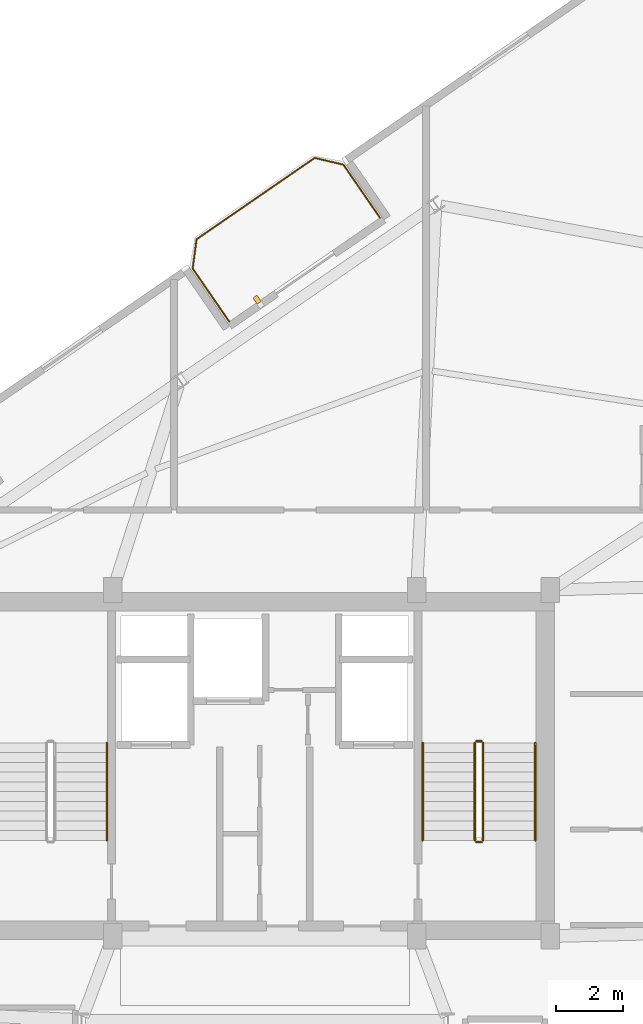
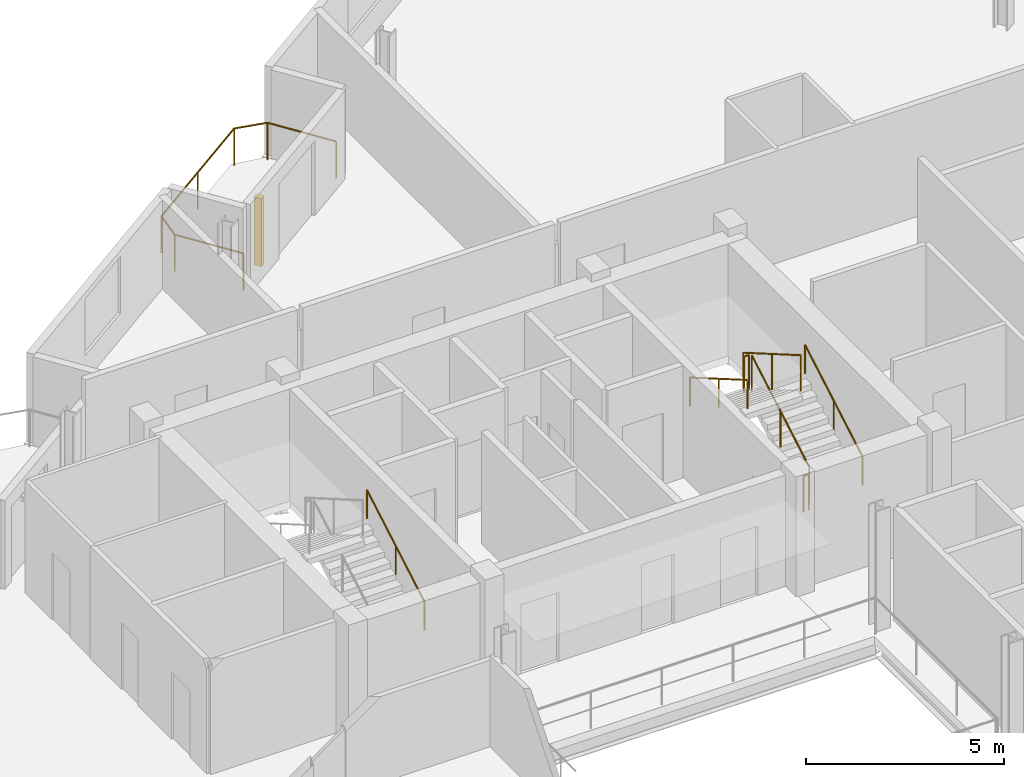
# One storey, part 23 of 23: 8 railings, 1 shading device.
"""IFC4 building model written with IfcOpenShell, lengths in metres."""

from ifc_helpers import new_model, si_unit, direction, frame, origin, origin_2d, place, context, subcontext, project, spatial, rectangle, circle, extrude, source, transform, mapped, material, type_object, element, save


model = new_model("IFC4")

# Units and contexts
model_context = context("Model", 3, precision=1e-05, world=origin(), true_north=direction((0.0, 1.0)))
body_context = subcontext(model_context, "Body", "Model", "MODEL_VIEW")
ifc_project = project(units=[si_unit("LENGTHUNIT", "METRE"), si_unit("AREAUNIT", "SQUARE_METRE"), si_unit("VOLUMEUNIT", "CUBIC_METRE"), si_unit("PLANEANGLEUNIT", "RADIAN"), si_unit("MASSUNIT", "GRAM", prefix="KILO")], contexts=[model_context])

# Site, building, storey
site_placement = place(None, origin())
site = spatial("IfcSite", under=ifc_project, at=site_placement, CompositionType="ELEMENT")
building_placement = place(site_placement, origin())
building = spatial("IfcBuilding", under=site, at=building_placement, Name="Varnelok Gate Tower", CompositionType="ELEMENT")
storey_placement = place(building_placement, frame((0.0, 0.0, 258.199951171875)))
storey = spatial("IfcBuildingStorey", under=building, at=storey_placement, Name="L66", CompositionType="ELEMENT", Elevation=258.199951171875)

# Railings
ifc_material_1 = material(Name="Low-E Laminated Double Glazing IGU", Category="glass")
railing_type_1 = type_object("IfcRailingType", Name="RL-BALC-1150", PredefinedType="BALUSTRADE", material=ifc_material_1)
railing_1_placement = place(storey_placement, frame((38.143310546875, 47.036376953125, 0.0)))
element("IfcRailing", 1, at=railing_1_placement, inside=storey, type_object=railing_type_1, Name="L66 North Terrace Balustrade 6", PredefinedType="BALUSTRADE", context=body_context, shape_type="SweptSolid", body=[
    extrude(circle(Radius=0.02392578125, at=origin_2d()), frame((0.0, 0.0, 1.1259765625), z_axis=(-0.567284155424, 0.82352212296, 0.0), x_axis=(-0.82352212296, -0.567284155424, 0.0)), (0.0, 0.0, 1.0), 1.919921875),
    extrude(circle(Radius=0.02392578125, at=origin_2d()), frame((-1.089111328125, 1.5810546875, 1.1259765625), z_axis=(0.133238627421, 0.991083986433, 0.0), x_axis=(-0.991083986433, 0.133238627421, 0.0)), (0.0, 0.0, 1.0), 0.877685546875),
    extrude(circle(Radius=0.02392578125, at=origin_2d()), frame((-0.97216796875, 2.450927734375, 1.1259765625), z_axis=(0.823530765458, 0.56727160897, 0.0), x_axis=(-0.56727160897, 0.823530765458, 0.0)), (0.0, 0.0, 1.0), 4.26708984375),
    extrude(circle(Radius=0.02392578125, at=origin_2d()), frame((2.5419921875, 4.87158203125, 1.1259765625), z_axis=(0.973573806257, -0.228372598553, 0.0), x_axis=(0.228372598553, 0.973573806257, 0.0)), (0.0, 0.0, 1.0), 0.877685546875),
    extrude(circle(Radius=0.02392578125, at=origin_2d()), frame((3.396484375, 4.671142578125, 1.1259765625), z_axis=(0.567224752248, -0.823563039747, 0.0), x_axis=(0.823563039747, 0.567224752248, 0.0)), (0.0, 0.0, 1.0), 1.920166015625),
    extrude(circle(Radius=0.02099609375, at=origin_2d()), origin(), (0.0, 0.0, 1.0), 1.101806640625),
    extrude(circle(Radius=0.02099609375, at=origin_2d()), frame((-1.089111328125, 1.5810546875, 0.0)), (0.0, 0.0, 1.0), 1.101806640625),
    extrude(circle(Radius=0.02099609375, at=origin_2d()), frame((-0.97216796875, 2.450927734375, 0.0)), (0.0, 0.0, 1.0), 1.101806640625),
    extrude(circle(Radius=0.02099609375, at=origin_2d()), frame((0.784912109375, 3.6611328125, 0.0)), (0.0, 0.0, 1.0), 1.101806640625),
    extrude(circle(Radius=0.02099609375, at=origin_2d()), frame((2.5419921875, 4.87158203125, 0.0)), (0.0, 0.0, 1.0), 1.101806640625),
    extrude(circle(Radius=0.02099609375, at=origin_2d()), frame((3.396484375, 4.671142578125, 0.0)), (0.0, 0.0, 1.0), 1.101806640625),
    extrude(circle(Radius=0.02099609375, at=origin_2d()), frame((4.485595703125, 3.08984375, 0.0)), (0.0, 0.0, 1.0), 1.101806640625),
])
ifc_material_2 = material(Name="Brushed Stainless Steel AISI 316", Category="steel")
railing_type_2 = type_object("IfcRailingType", Name="RL-HANDRAIL-900", PredefinedType="HANDRAIL", material=ifc_material_2)
for number, where, name in (
    (2, (34.5, 31.60009765625, 0.168212890625), "L66 ST-1 stair handrail 1"),
    (3, (47.25, 31.60009765625, 0.168212890625), "L66 ST-2 stair handrail 1"),
):
    element("IfcRailing", number, at=place(storey_placement, frame(where)), inside=storey, type_object=railing_type_2, Name=name, PredefinedType="HANDRAIL", context=body_context, shape_type="SweptSolid", body=[
        extrude(circle(Radius=0.02392578125, at=origin_2d()), frame((0.0, 0.0, 0.8759765625), z_axis=(0.0, 0.865038774852, 0.501705010941), x_axis=(-1.0, 0.0, 0.0)), (0.0, 0.0, 1.0), 3.352294921875),
        extrude(circle(Radius=0.02099609375, at=origin_2d()), origin(), (0.0, 0.0, 1.0), 0.851806640625),
        extrude(circle(Radius=0.02099609375, at=origin_2d()), frame((0.0, 1.449951171875, 0.8408203125)), (0.0, 0.0, 1.0), 0.851806640625),
        extrude(circle(Radius=0.02099609375, at=origin_2d()), frame((0.0, 2.89990234375, 1.681884765625)), (0.0, 0.0, 1.0), 0.851806640625),
    ])
railing_2_placement = place(storey_placement, frame((43.89990234375, 34.5, 2.018310546875)))
element("IfcRailing", 4, at=railing_2_placement, inside=storey, type_object=railing_type_2, Name="L66 ST-2 stair handrail 2", PredefinedType="HANDRAIL", context=body_context, shape_type="SweptSolid", body=[
    extrude(circle(Radius=0.02392578125, at=origin_2d()), frame((0.0, 0.0, 0.8759765625), z_axis=(0.0, -0.86507038078, 0.501650512107), x_axis=(1.0, 0.0, 0.0)), (0.0, 0.0, 1.0), 3.352294921875),
    extrude(circle(Radius=0.02099609375, at=origin_2d()), origin(), (0.0, 0.0, 1.0), 0.851806640625),
    extrude(circle(Radius=0.02099609375, at=origin_2d()), frame((0.0, -1.449951171875, 0.8408203125)), (0.0, 0.0, 1.0), 0.851806640625),
    extrude(circle(Radius=0.02099609375, at=origin_2d()), frame((0.0, -2.89990234375, 1.681640625)), (0.0, 0.0, 1.0), 0.851806640625),
])
ifc_material_3 = material(Name="Galvanized Steel Grade S350GD", Category="steel")
railing_type_3 = type_object("IfcRailingType", Name="RL-STAIR-GUARD1120", PredefinedType="GUARDRAIL", material=ifc_material_3)
railing_3_placement = place(storey_placement, frame((45.699951171875, 31.60009765625, 0.168212890625)))
element("IfcRailing", 5, at=railing_3_placement, inside=storey, type_object=railing_type_3, Name="L66 ST-2 stair guard 1", PredefinedType="GUARDRAIL", context=body_context, shape_type="SweptSolid", body=[
    extrude(circle(Radius=0.02392578125, at=origin_2d()), frame((0.0, 0.0, 1.09619140625), z_axis=(0.0, 0.865038774852, 0.501705010941), x_axis=(-1.0, 0.0, 0.0)), (0.0, 0.0, 1.0), 3.352294921875),
    extrude(circle(Radius=0.02099609375, at=origin_2d()), origin(), (0.0, 0.0, 1.0), 1.072021484375),
    extrude(circle(Radius=0.02099609375, at=origin_2d()), frame((0.0, 1.449951171875, 0.8408203125)), (0.0, 0.0, 1.0), 1.072021484375),
    extrude(circle(Radius=0.02099609375, at=origin_2d()), frame((0.0, 2.89990234375, 1.681884765625)), (0.0, 0.0, 1.0), 1.072021484375),
])
railing_4_placement = place(storey_placement, frame((45.64990234375, 34.550048828125, 1.85009765625)))
element("IfcRailing", 6, at=railing_4_placement, inside=storey, type_object=railing_type_3, Name="L66 ST-2 stair guard 2", PredefinedType="GUARDRAIL", context=body_context, shape_type="SweptSolid", body=[
    extrude(circle(Radius=0.02392578125, at=origin_2d()), frame((0.0, 0.0, 1.09619140625), z_axis=(-1.0, 0.0, 0.0), x_axis=(0.0, -1.0, 0.0)), (0.0, 0.0, 1.0), 0.14990234375),
    extrude(circle(Radius=0.02099609375, at=origin_2d()), origin(), (0.0, 0.0, 1.0), 1.072021484375),
    extrude(circle(Radius=0.02099609375, at=origin_2d()), frame((-0.14990234375, 0.0, 0.0)), (0.0, 0.0, 1.0), 1.072021484375),
])
railing_5_placement = place(storey_placement, frame((45.449951171875, 34.5, 2.018310546875)))
element("IfcRailing", 7, at=railing_5_placement, inside=storey, type_object=railing_type_3, Name="L66 ST-2 stair guard 3", PredefinedType="GUARDRAIL", context=body_context, shape_type="SweptSolid", body=[
    extrude(circle(Radius=0.02392578125, at=origin_2d()), frame((0.0, 0.0, 1.09619140625), z_axis=(0.0, -0.86507038078, 0.501650512107), x_axis=(1.0, 0.0, 0.0)), (0.0, 0.0, 1.0), 3.352294921875),
    extrude(circle(Radius=0.02099609375, at=origin_2d()), origin(), (0.0, 0.0, 1.0), 1.072021484375),
    extrude(circle(Radius=0.02099609375, at=origin_2d()), frame((0.0, -1.449951171875, 0.8408203125)), (0.0, 0.0, 1.0), 1.072021484375),
    extrude(circle(Radius=0.02099609375, at=origin_2d()), frame((0.0, -2.89990234375, 1.681640625)), (0.0, 0.0, 1.0), 1.072021484375),
])
railing_6_placement = place(storey_placement, frame((45.64990234375, 31.550048828125, 0.0)))
element("IfcRailing", 8, at=railing_6_placement, inside=storey, type_object=railing_type_3, Name="L66 ST-2 stair guard 4", PredefinedType="GUARDRAIL", context=body_context, shape_type="SweptSolid", body=[
    extrude(circle(Radius=0.02392578125, at=origin_2d()), frame((0.0, 0.0, 1.09619140625), z_axis=(-1.0, 0.0, 0.0), x_axis=(0.0, -1.0, 0.0)), (0.0, 0.0, 1.0), 0.14990234375),
    extrude(circle(Radius=0.02099609375, at=origin_2d()), origin(), (0.0, 0.0, 1.0), 1.072021484375),
    extrude(circle(Radius=0.02099609375, at=origin_2d()), frame((-0.14990234375, 0.0, 0.0)), (0.0, 0.0, 1.0), 1.072021484375),
])

# Shading device
ifc_material_4 = material(Name="Glazed Architectural Terracotta Ceramic", Category="masonry")
shading_device_type = type_object("IfcShadingDeviceType", Name="SHD-TERRA-BAGUETTE", PredefinedType="USERDEFINED", material=ifc_material_4)
shared_shape = source(origin(), body_context, "Body", "SweptSolid", [
    extrude(rectangle(XDim=0.139892578125, YDim=0.219970703125, at=origin_2d()), origin(), (0.0, 0.0, 1.0), 2.10009765625),
])
shading_device_placement = place(storey_placement, frame((38.970947265625, 47.69140625, 0.10009765625), z_axis=(0.0, 0.0, 1.0), x_axis=(0.823532597628, 0.567268949127, 0.0)))
element("IfcShadingDevice", 9, at=shading_device_placement, inside=storey, type_object=shading_device_type, Name="L66 Terracotta Ceramic Baguette Sunscreen 6.1", ObjectType="BAGUETTE", PredefinedType="USERDEFINED", context=body_context, shape_type="MappedRepresentation", body=[
    mapped(shared_shape, transform((0.0, 0.0, 0.0), scale=1.0)),
])

save(model, "model.ifc")
